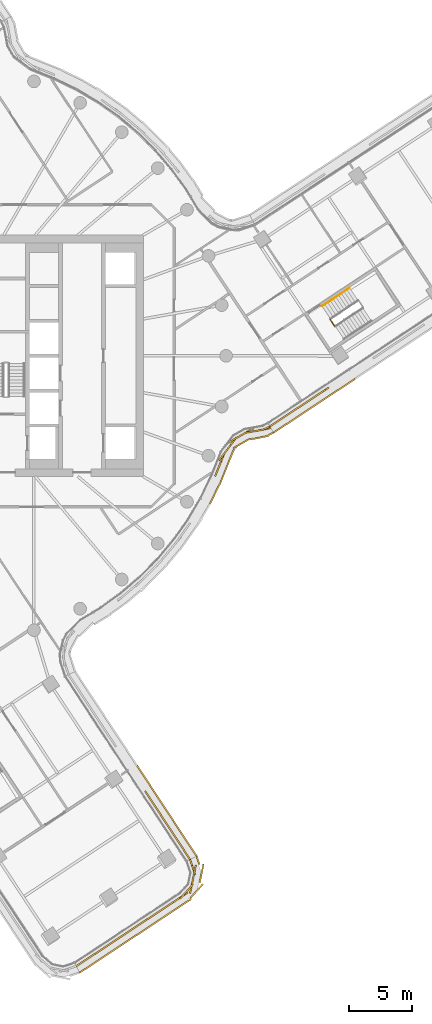
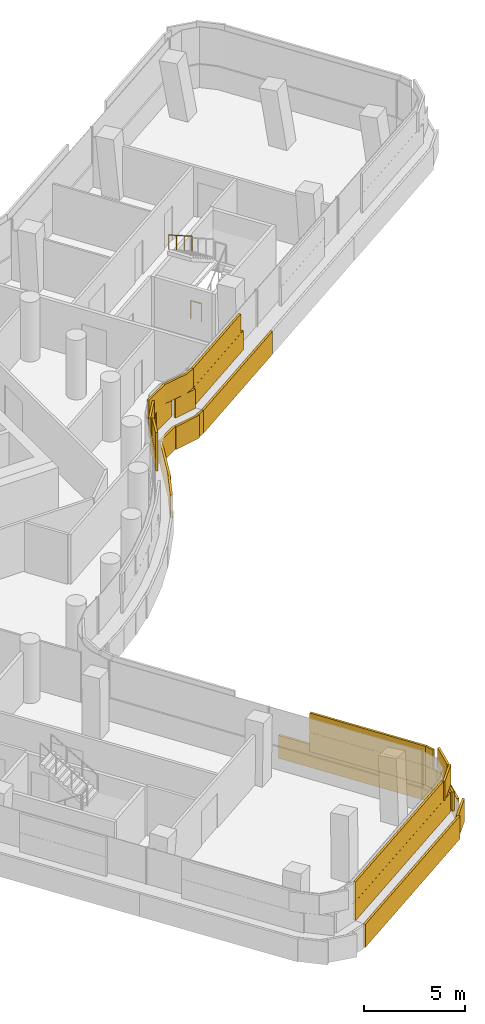
# One storey, part 32 of 35: 4 coverings, 2 railings.
"""IFC4 building model written with IfcOpenShell, lengths in metres."""

from ifc_helpers import new_model, si_unit, direction, frame, origin, origin_2d, place, context, subcontext, project, spatial, rectangle, circle, extrude, material, layer, layer_set, type_object, element, save


model = new_model("IFC4")

# Units and contexts
model_context = context("Model", 3, precision=1e-05, world=origin(), true_north=direction((0.0, 1.0)))
body_context = subcontext(model_context, "Body", "Model", "MODEL_VIEW")
ifc_project = project(units=[si_unit("LENGTHUNIT", "METRE"), si_unit("AREAUNIT", "SQUARE_METRE"), si_unit("VOLUMEUNIT", "CUBIC_METRE"), si_unit("PLANEANGLEUNIT", "RADIAN"), si_unit("MASSUNIT", "GRAM", prefix="KILO")], contexts=[model_context])

# Site, building, storey
site_placement = place(None, origin())
site = spatial("IfcSite", under=ifc_project, at=site_placement, CompositionType="ELEMENT")
building_placement = place(site_placement, origin())
building = spatial("IfcBuilding", under=site, at=building_placement, Name="Tamarind Cross Interchange Tower", CompositionType="ELEMENT")
storey_placement = place(building_placement, frame((0.0, 0.0, 155.5)))
storey = spatial("IfcBuildingStorey", under=building, at=storey_placement, Name="L38", CompositionType="ELEMENT", Elevation=155.5)

# Railings
ifc_material_1 = material(Name="Stair guard")
railing_type_1 = type_object("IfcRailingType", Name="Stair guard", PredefinedType="GUARDRAIL", material=ifc_material_1)
railing_1_placement = place(storey_placement, frame((31.53759765625, 2.342529296875, 0.0)))
element("IfcRailing", 1, at=railing_1_placement, inside=storey, type_object=railing_type_1, Name="L38 ST3 stair guard 4", PredefinedType="GUARDRAIL", context=body_context, shape_type="SweptSolid", body=[
    extrude(circle(Radius=0.02392578125, at=origin_2d()), frame((0.0, 0.0, 1.076171875), z_axis=(-0.550938572023, 0.834545798538, 0.0), x_axis=(-0.834545798538, -0.550938572023, 0.0)), (0.0, 0.0, 1.0), 0.60009765625),
    extrude(circle(Radius=0.02099609375, at=origin_2d()), origin(), (0.0, 0.0, 1.0), 1.052001953125),
    extrude(circle(Radius=0.02099609375, at=origin_2d()), frame((-0.33056640625, 0.500732421875, 0.0)), (0.0, 0.0, 1.0), 1.052001953125),
])
ifc_material_2 = material(Name="Stair handrail")
railing_type_2 = type_object("IfcRailingType", Name="Stair handrail", PredefinedType="HANDRAIL", material=ifc_material_2)
railing_2_placement = place(storey_placement, frame((32.729736328125, 5.346435546875, 2.04541015625)))
element("IfcRailing", 2, at=railing_2_placement, inside=storey, type_object=railing_type_2, Name="L38 ST3 stair handrail 2", PredefinedType="HANDRAIL", context=body_context, shape_type="SweptSolid", body=[
    extrude(circle(Radius=0.02392578125, at=origin_2d()), frame((0.0, 0.0, 0.8759765625), z_axis=(-0.697908254206, -0.460743527335, 0.548306000998), x_axis=(0.550945555476, -0.834541188259, 0.0)), (0.0, 0.0, 1.0), 3.10888671875),
    extrude(circle(Radius=0.02099609375, at=origin_2d()), origin(), (0.0, 0.0, 1.0), 0.851806640625),
    extrude(circle(Radius=0.02099609375, at=origin_2d()), frame((-0.72314453125, -0.4775390625, 0.568115234375)), (0.0, 0.0, 1.0), 0.851806640625),
    extrude(circle(Radius=0.02099609375, at=origin_2d()), frame((-1.446533203125, -0.954833984375, 1.136474609375)), (0.0, 0.0, 1.0), 0.851806640625),
    extrude(circle(Radius=0.02099609375, at=origin_2d()), frame((-2.169677734375, -1.432373046875, 1.70458984375)), (0.0, 0.0, 1.0), 0.851806640625),
])

# Coverings
ifc_material_3 = material(Name="Terracotta", Category="masonry")
ifc_layer = layer(ifc_material_3, 0.1201171875)
ifc_layer_set = layer_set([ifc_layer], Name="Terracotta")
covering_type = type_object("IfcCoveringType", Name="Terracotta baguette screen unit", PredefinedType="MOLDING", material=ifc_layer_set)
covering_1_placement = place(storey_placement, origin())
element("IfcCovering", 3, at=covering_1_placement, inside=storey, type_object=covering_type, Name="SCR-L38-08-00", PredefinedType="MOLDING", context=body_context, shape_type="SweptSolid", body=[
    extrude(rectangle(XDim=1.510009765625, YDim=0.1201171875, at=origin_2d()), frame((11.831787109375, -47.65625, 1.404052734375), z_axis=(0.0, 0.0, 1.0), x_axis=(0.834524900963, 0.550970225759, 0.0)), (0.0, 0.0, 1.0), 1.1669921875),
    extrude(rectangle(XDim=1.52001953125, YDim=0.1201171875, at=origin_2d()), frame((13.083740234375, -46.829833984375, 1.404052734375), z_axis=(0.0, 0.0, 1.0), x_axis=(0.834524900963, 0.550970225759, 0.0)), (0.0, 0.0, 1.0), 1.1669921875),
    extrude(rectangle(XDim=1.52001953125, YDim=0.1201171875, at=origin_2d()), frame((14.33544921875, -46.00341796875, 1.404052734375), z_axis=(0.0, 0.0, 1.0), x_axis=(0.834524900963, 0.550970225759, 0.0)), (0.0, 0.0, 1.0), 1.1669921875),
    extrude(rectangle(XDim=1.52001953125, YDim=0.1201171875, at=origin_2d()), frame((15.587158203125, -45.1767578125, 1.404052734375), z_axis=(0.0, 0.0, 1.0), x_axis=(0.834524900963, 0.550970225759, 0.0)), (0.0, 0.0, 1.0), 1.1669921875),
    extrude(rectangle(XDim=1.52001953125, YDim=0.1201171875, at=origin_2d()), frame((16.8388671875, -44.350341796875, 1.404052734375), z_axis=(0.0, 0.0, 1.0), x_axis=(0.834524900963, 0.550970225759, 0.0)), (0.0, 0.0, 1.0), 1.1669921875),
    extrude(rectangle(XDim=1.52001953125, YDim=0.1201171875, at=origin_2d()), frame((18.0908203125, -43.52392578125, 1.404052734375), z_axis=(0.0, 0.0, 1.0), x_axis=(0.834524900963, 0.550970225759, 0.0)), (0.0, 0.0, 1.0), 1.1669921875),
    extrude(rectangle(XDim=1.52001953125, YDim=0.1201171875, at=origin_2d()), frame((19.342529296875, -42.697509765625, 1.404052734375), z_axis=(0.0, 0.0, 1.0), x_axis=(0.834524900963, 0.550970225759, 0.0)), (0.0, 0.0, 1.0), 1.1669921875),
    extrude(rectangle(XDim=1.52001953125, YDim=0.1201171875, at=origin_2d()), frame((20.312744140625, -41.59326171875, 1.404052734375), z_axis=(0.0, 0.0, 1.0), x_axis=(0.200503433674, 0.979692999406, 0.0)), (0.0, 0.0, 1.0), 1.1669921875),
    extrude(rectangle(XDim=1.259521484375, YDim=0.1201171875, at=origin_2d()), frame((20.35791015625, -40.26025390625, 1.404052734375), z_axis=(0.0, 0.0, 1.0), x_axis=(-0.316205432595, 0.948690742232, 0.0)), (0.0, 0.0, 1.0), 1.1669921875),
    extrude(rectangle(XDim=0.760009765625, YDim=0.1201171875, at=origin_2d()), frame((11.518798828125, -47.86279296875, 2.5791015625), z_axis=(0.0, 0.0, 1.0), x_axis=(0.834524900963, 0.550970225759, 0.0)), (0.0, 0.0, 1.0), 1.1669921875),
    extrude(rectangle(XDim=1.52001953125, YDim=0.1201171875, at=origin_2d()), frame((12.457763671875, -47.242919921875, 2.5791015625), z_axis=(0.0, 0.0, 1.0), x_axis=(0.834524900963, 0.550970225759, 0.0)), (0.0, 0.0, 1.0), 1.1669921875),
    extrude(rectangle(XDim=1.52001953125, YDim=0.1201171875, at=origin_2d()), frame((13.70947265625, -46.41650390625, 2.5791015625), z_axis=(0.0, 0.0, 1.0), x_axis=(0.834524900963, 0.550970225759, 0.0)), (0.0, 0.0, 1.0), 1.1669921875),
    extrude(rectangle(XDim=1.52001953125, YDim=0.1201171875, at=origin_2d()), frame((14.96142578125, -45.590087890625, 2.5791015625), z_axis=(0.0, 0.0, 1.0), x_axis=(0.834524900963, 0.550970225759, 0.0)), (0.0, 0.0, 1.0), 1.1669921875),
    extrude(rectangle(XDim=1.52001953125, YDim=0.1201171875, at=origin_2d()), frame((16.213134765625, -44.763671875, 2.5791015625), z_axis=(0.0, 0.0, 1.0), x_axis=(0.834524900963, 0.550970225759, 0.0)), (0.0, 0.0, 1.0), 1.1669921875),
    extrude(rectangle(XDim=1.52001953125, YDim=0.1201171875, at=origin_2d()), frame((17.46484375, -43.937255859375, 2.5791015625), z_axis=(0.0, 0.0, 1.0), x_axis=(0.834524900963, 0.550970225759, 0.0)), (0.0, 0.0, 1.0), 1.1669921875),
    extrude(rectangle(XDim=1.52001953125, YDim=0.1201171875, at=origin_2d()), frame((18.716552734375, -43.110595703125, 2.5791015625), z_axis=(0.0, 0.0, 1.0), x_axis=(0.834524900963, 0.550970225759, 0.0)), (0.0, 0.0, 1.0), 1.1669921875),
    extrude(rectangle(XDim=1.52001953125, YDim=0.1201171875, at=origin_2d()), frame((19.886962890625, -42.1904296875, 2.5791015625), z_axis=(0.0, 0.0, 1.0), x_axis=(0.663487566811, 0.748187308558, 0.0)), (0.0, 0.0, 1.0), 1.1669921875),
    extrude(rectangle(XDim=1.52001953125, YDim=0.1201171875, at=origin_2d()), frame((20.463134765625, -40.8583984375, 2.5791015625), z_axis=(0.0, 0.0, 1.0), x_axis=(0.200503433674, 0.979692999406, 0.0)), (0.0, 0.0, 1.0), 1.1669921875),
    extrude(rectangle(XDim=0.509521484375, YDim=0.1201171875, at=origin_2d()), frame((20.2392578125, -39.904541015625, 2.5791015625), z_axis=(0.0, 0.0, 1.0), x_axis=(-0.316205432595, 0.948690742232, 0.0)), (0.0, 0.0, 1.0), 1.1669921875),
    extrude(rectangle(XDim=1.510009765625, YDim=0.1201171875, at=origin_2d()), frame((12.089111328125, -48.174072265625, 0.00390625), z_axis=(0.0, 0.0, 1.0), x_axis=(0.834524900963, 0.550970225759, 0.0)), (0.0, 0.0, 1.0), 1.39208984375),
    extrude(rectangle(XDim=1.52001953125, YDim=0.1201171875, at=origin_2d()), frame((13.3369140625, -47.350341796875, 0.00390625), z_axis=(0.0, 0.0, 1.0), x_axis=(0.834524900963, 0.550970225759, 0.0)), (0.0, 0.0, 1.0), 1.39208984375),
    extrude(rectangle(XDim=1.52001953125, YDim=0.1201171875, at=origin_2d()), frame((14.588623046875, -46.52392578125, 0.00390625), z_axis=(0.0, 0.0, 1.0), x_axis=(0.834524900963, 0.550970225759, 0.0)), (0.0, 0.0, 1.0), 1.39208984375),
    extrude(rectangle(XDim=1.52001953125, YDim=0.1201171875, at=origin_2d()), frame((15.84033203125, -45.697509765625, 0.00390625), z_axis=(0.0, 0.0, 1.0), x_axis=(0.834524900963, 0.550970225759, 0.0)), (0.0, 0.0, 1.0), 1.39208984375),
    extrude(rectangle(XDim=1.52001953125, YDim=0.1201171875, at=origin_2d()), frame((17.09228515625, -44.87109375, 0.00390625), z_axis=(0.0, 0.0, 1.0), x_axis=(0.834524900963, 0.550970225759, 0.0)), (0.0, 0.0, 1.0), 1.39208984375),
    extrude(rectangle(XDim=1.52001953125, YDim=0.1201171875, at=origin_2d()), frame((18.343994140625, -44.044677734375, 0.00390625), z_axis=(0.0, 0.0, 1.0), x_axis=(0.834524900963, 0.550970225759, 0.0)), (0.0, 0.0, 1.0), 1.39208984375),
    extrude(rectangle(XDim=1.52001953125, YDim=0.1201171875, at=origin_2d()), frame((19.595703125, -43.218017578125, 0.00390625), z_axis=(0.0, 0.0, 1.0), x_axis=(0.834524900963, 0.550970225759, 0.0)), (0.0, 0.0, 1.0), 1.39208984375),
    extrude(rectangle(XDim=1.52001953125, YDim=0.1201171875, at=origin_2d()), frame((20.66357421875, -42.1796875, 0.00390625), z_axis=(0.0, 0.0, 1.0), x_axis=(0.663487566811, 0.748187308558, 0.0)), (0.0, 0.0, 1.0), 1.39208984375),
    extrude(rectangle(XDim=1.52001953125, YDim=0.1201171875, at=origin_2d()), frame((21.06884765625, -40.76220703125, 0.00390625), z_axis=(0.0, 0.0, 1.0), x_axis=(0.200503433674, 0.979692999406, 0.0)), (0.0, 0.0, 1.0), 1.39208984375),
    extrude(rectangle(XDim=0.676513671875, YDim=0.1201171875, at=origin_2d()), frame((20.7880859375, -39.73583984375, 0.00390625), z_axis=(0.0, 0.0, 1.0), x_axis=(-0.316205432595, 0.948690742232, 0.0)), (0.0, 0.0, 1.0), 1.39208984375),
])
covering_2_placement = place(storey_placement, origin())
element("IfcCovering", 4, at=covering_2_placement, inside=storey, type_object=covering_type, Name="SCR-L38-09-00", PredefinedType="MOLDING", context=body_context, shape_type="SweptSolid", body=[
    extrude(rectangle(XDim=1.510009765625, YDim=0.1201171875, at=origin_2d()), frame((19.748291015625, -39.040771484375, 1.404052734375), z_axis=(0.0, 0.0, 1.0), x_axis=(-0.549247742562, 0.835659570214, 0.0)), (0.0, 0.0, 1.0), 1.1669921875),
    extrude(rectangle(XDim=1.52001953125, YDim=0.1201171875, at=origin_2d()), frame((18.924560546875, -37.787353515625, 1.404052734375), z_axis=(0.0, 0.0, 1.0), x_axis=(-0.549247742562, 0.835659570214, 0.0)), (0.0, 0.0, 1.0), 1.1669921875),
    extrude(rectangle(XDim=1.52001953125, YDim=0.1201171875, at=origin_2d()), frame((18.1005859375, -36.53369140625, 1.404052734375), z_axis=(0.0, 0.0, 1.0), x_axis=(-0.549247742562, 0.835659570214, 0.0)), (0.0, 0.0, 1.0), 1.1669921875),
    extrude(rectangle(XDim=1.52001953125, YDim=0.1201171875, at=origin_2d()), frame((17.276611328125, -35.2802734375, 1.404052734375), z_axis=(0.0, 0.0, 1.0), x_axis=(-0.549247742562, 0.835659570214, 0.0)), (0.0, 0.0, 1.0), 1.1669921875),
    extrude(rectangle(XDim=0.449462890625, YDim=0.1201171875, at=origin_2d()), frame((16.744140625, -34.469970703125, 1.404052734375), z_axis=(0.0, 0.0, 1.0), x_axis=(-0.549247742562, 0.835659570214, 0.0)), (0.0, 0.0, 1.0), 1.1669921875),
    extrude(rectangle(XDim=0.760009765625, YDim=0.1201171875, at=origin_2d()), frame((19.954345703125, -39.354248046875, 2.5791015625), z_axis=(0.0, 0.0, 1.0), x_axis=(-0.549247742562, 0.835659570214, 0.0)), (0.0, 0.0, 1.0), 1.1669921875),
    extrude(rectangle(XDim=1.52001953125, YDim=0.1201171875, at=origin_2d()), frame((19.33642578125, -38.4140625, 2.5791015625), z_axis=(0.0, 0.0, 1.0), x_axis=(-0.549247742562, 0.835659570214, 0.0)), (0.0, 0.0, 1.0), 1.1669921875),
    extrude(rectangle(XDim=1.52001953125, YDim=0.1201171875, at=origin_2d()), frame((18.512451171875, -37.16064453125, 2.5791015625), z_axis=(0.0, 0.0, 1.0), x_axis=(-0.549247742562, 0.835659570214, 0.0)), (0.0, 0.0, 1.0), 1.1669921875),
    extrude(rectangle(XDim=1.52001953125, YDim=0.1201171875, at=origin_2d()), frame((17.688720703125, -35.906982421875, 2.5791015625), z_axis=(0.0, 0.0, 1.0), x_axis=(-0.549247742562, 0.835659570214, 0.0)), (0.0, 0.0, 1.0), 1.1669921875),
    extrude(rectangle(XDim=1.199462890625, YDim=0.1201171875, at=origin_2d()), frame((16.949951171875, -34.783203125, 2.5791015625), z_axis=(0.0, 0.0, 1.0), x_axis=(-0.549247742562, 0.835659570214, 0.0)), (0.0, 0.0, 1.0), 1.1669921875),
    extrude(rectangle(XDim=1.510009765625, YDim=0.1201171875, at=origin_2d()), frame((20.266357421875, -38.783935546875, 0.00390625), z_axis=(0.0, 0.0, 1.0), x_axis=(-0.549247742562, 0.835659570214, 0.0)), (0.0, 0.0, 1.0), 1.39208984375),
    extrude(rectangle(XDim=1.52001953125, YDim=0.1201171875, at=origin_2d()), frame((19.4453125, -37.53466796875, 0.00390625), z_axis=(0.0, 0.0, 1.0), x_axis=(-0.549247742562, 0.835659570214, 0.0)), (0.0, 0.0, 1.0), 1.39208984375),
    extrude(rectangle(XDim=1.52001953125, YDim=0.1201171875, at=origin_2d()), frame((18.621337890625, -36.28125, 0.00390625), z_axis=(0.0, 0.0, 1.0), x_axis=(-0.549247742562, 0.835659570214, 0.0)), (0.0, 0.0, 1.0), 1.39208984375),
    extrude(rectangle(XDim=1.52001953125, YDim=0.1201171875, at=origin_2d()), frame((17.797607421875, -35.027587890625, 0.00390625), z_axis=(0.0, 0.0, 1.0), x_axis=(-0.549247742562, 0.835659570214, 0.0)), (0.0, 0.0, 1.0), 1.39208984375),
    extrude(rectangle(XDim=1.52001953125, YDim=0.1201171875, at=origin_2d()), frame((16.9736328125, -33.774169921875, 0.00390625), z_axis=(0.0, 0.0, 1.0), x_axis=(-0.549247742562, 0.835659570214, 0.0)), (0.0, 0.0, 1.0), 1.39208984375),
    extrude(rectangle(XDim=1.04833984375, YDim=0.1201171875, at=origin_2d()), frame((16.279296875, -32.7177734375, 0.00390625), z_axis=(0.0, 0.0, 1.0), x_axis=(-0.549247742562, 0.835659570214, 0.0)), (0.0, 0.0, 1.0), 1.39208984375),
])
covering_3_placement = place(storey_placement, origin())
element("IfcCovering", 5, at=covering_3_placement, inside=storey, type_object=covering_type, Name="SCR-L38-10-01", PredefinedType="MOLDING", context=body_context, shape_type="SweptSolid", body=[
    extrude(rectangle(XDim=0.510986328125, YDim=0.1201171875, at=origin_2d()), frame((22.232177734375, -9.247802734375, 1.404052734375), z_axis=(0.0, 0.0, 1.0), x_axis=(0.37262047938, 0.927983824399, 0.0)), (0.0, 0.0, 1.0), 1.1669921875),
    extrude(rectangle(XDim=1.52001953125, YDim=0.1201171875, at=origin_2d()), frame((22.60498046875, -8.3193359375, 1.404052734375), z_axis=(0.0, 0.0, 1.0), x_axis=(0.37262047938, 0.927983824399, 0.0)), (0.0, 0.0, 1.0), 1.1669921875),
    extrude(rectangle(XDim=1.52001953125, YDim=0.1201171875, at=origin_2d()), frame((23.35498046875, -7.034912109375, 1.404052734375), z_axis=(0.0, 0.0, 1.0), x_axis=(0.600603865938, 0.799546744237, 0.0)), (0.0, 0.0, 1.0), 1.1669921875),
    extrude(rectangle(XDim=1.52001953125, YDim=0.1201171875, at=origin_2d()), frame((24.4814453125, -6.09130859375, 1.404052734375), z_axis=(0.0, 0.0, 1.0), x_axis=(0.868258429701, 0.496112184141, 0.0)), (0.0, 0.0, 1.0), 1.1669921875),
    extrude(rectangle(XDim=1.317138671875, YDim=0.1201171875, at=origin_2d()), frame((25.853759765625, -5.8154296875, 1.404052734375), z_axis=(0.0, 0.0, 1.0), x_axis=(0.981187002494, 0.193059747584, 0.0)), (0.0, 0.0, 1.0), 1.1669921875),
    extrude(rectangle(XDim=1.260986328125, YDim=0.1201171875, at=origin_2d()), frame((22.3720703125, -8.89990234375, 2.5791015625), z_axis=(0.0, 0.0, 1.0), x_axis=(0.37262047938, 0.927983824399, 0.0)), (0.0, 0.0, 1.0), 1.1669921875),
    extrude(rectangle(XDim=1.52001953125, YDim=0.1201171875, at=origin_2d()), frame((22.904541015625, -7.634521484375, 2.5791015625), z_axis=(0.0, 0.0, 1.0), x_axis=(0.600603865938, 0.799546744237, 0.0)), (0.0, 0.0, 1.0), 1.1669921875),
    extrude(rectangle(XDim=1.52001953125, YDim=0.1201171875, at=origin_2d()), frame((23.830078125, -6.46337890625, 2.5791015625), z_axis=(0.0, 0.0, 1.0), x_axis=(0.868258429701, 0.496112184141, 0.0)), (0.0, 0.0, 1.0), 1.1669921875),
    extrude(rectangle(XDim=1.52001953125, YDim=0.1201171875, at=origin_2d()), frame((25.2119140625, -5.93896484375, 2.5791015625), z_axis=(0.0, 0.0, 1.0), x_axis=(0.984833364219, 0.173502866607, 0.0)), (0.0, 0.0, 1.0), 1.1669921875),
    extrude(rectangle(XDim=0.567138671875, YDim=0.1201171875, at=origin_2d()), frame((26.2001953125, -5.67919921875, 2.5791015625), z_axis=(0.0, 0.0, 1.0), x_axis=(0.899301470343, 0.437329241463, 0.0)), (0.0, 0.0, 1.0), 1.1669921875),
    extrude(rectangle(XDim=0.1552734375, YDim=0.1201171875, at=origin_2d()), frame((21.771728515625, -11.5751953125, 0.00390625), z_axis=(0.0, 0.0, 1.0), x_axis=(0.435326231914, 0.900272776334, 0.0)), (0.0, 0.0, 1.0), 1.39208984375),
    extrude(rectangle(XDim=1.52001953125, YDim=0.1201171875, at=origin_2d()), frame((22.127685546875, -10.839111328125, 0.00390625), z_axis=(0.0, 0.0, 1.0), x_axis=(0.435326231914, 0.900272776334, 0.0)), (0.0, 0.0, 1.0), 1.39208984375),
    extrude(rectangle(XDim=1.52001953125, YDim=0.1201171875, at=origin_2d()), frame((22.758056640625, -9.478759765625, 0.00390625), z_axis=(0.0, 0.0, 1.0), x_axis=(0.37262047938, 0.927983824399, 0.0)), (0.0, 0.0, 1.0), 1.39208984375),
    extrude(rectangle(XDim=1.52001953125, YDim=0.1201171875, at=origin_2d()), frame((23.31689453125, -8.086669921875, 0.00390625), z_axis=(0.0, 0.0, 1.0), x_axis=(0.37262047938, 0.927983824399, 0.0)), (0.0, 0.0, 1.0), 1.39208984375),
    extrude(rectangle(XDim=1.52001953125, YDim=0.1201171875, at=origin_2d()), frame((24.218994140625, -6.90234375, 0.00390625), z_axis=(0.0, 0.0, 1.0), x_axis=(0.868258429701, 0.496112184141, 0.0)), (0.0, 0.0, 1.0), 1.39208984375),
    extrude(rectangle(XDim=1.52001953125, YDim=0.1201171875, at=origin_2d()), frame((25.625732421875, -6.4453125, 0.00390625), z_axis=(0.0, 0.0, 1.0), x_axis=(0.981187002494, 0.193059747584, 0.0)), (0.0, 0.0, 1.0), 1.39208984375),
    extrude(rectangle(XDim=0.445556640625, YDim=0.1201171875, at=origin_2d()), frame((26.535400390625, -6.154541015625, 0.00390625), z_axis=(0.0, 0.0, 1.0), x_axis=(0.899301470343, 0.437329241463, 0.0)), (0.0, 0.0, 1.0), 1.39208984375),
])
covering_4_placement = place(storey_placement, origin())
element("IfcCovering", 6, at=covering_4_placement, inside=storey, type_object=covering_type, Name="SCR-L38-11-00", PredefinedType="MOLDING", context=body_context, shape_type="SweptSolid", body=[
    extrude(rectangle(XDim=1.510009765625, YDim=0.1201171875, at=origin_2d()), frame((27.07666015625, -5.14404296875, 1.404052734375), z_axis=(0.0, 0.0, 1.0), x_axis=(0.834524900963, 0.550970225759, 0.0)), (0.0, 0.0, 1.0), 1.1669921875),
    extrude(rectangle(XDim=1.52001953125, YDim=0.1201171875, at=origin_2d()), frame((28.328369140625, -4.317626953125, 1.404052734375), z_axis=(0.0, 0.0, 1.0), x_axis=(0.834524900963, 0.550970225759, 0.0)), (0.0, 0.0, 1.0), 1.1669921875),
    extrude(rectangle(XDim=1.52001953125, YDim=0.1201171875, at=origin_2d()), frame((29.580322265625, -3.4912109375, 1.404052734375), z_axis=(0.0, 0.0, 1.0), x_axis=(0.834524900963, 0.550970225759, 0.0)), (0.0, 0.0, 1.0), 1.1669921875),
    extrude(rectangle(XDim=1.05712890625, YDim=0.1201171875, at=origin_2d()), frame((30.64306640625, -2.78955078125, 1.404052734375), z_axis=(0.0, 0.0, 1.0), x_axis=(0.834524900963, 0.550970225759, 0.0)), (0.0, 0.0, 1.0), 1.1669921875),
    extrude(rectangle(XDim=0.760009765625, YDim=0.1201171875, at=origin_2d()), frame((26.763671875, -5.350830078125, 2.5791015625), z_axis=(0.0, 0.0, 1.0), x_axis=(0.834524900963, 0.550970225759, 0.0)), (0.0, 0.0, 1.0), 1.1669921875),
    extrude(rectangle(XDim=1.52001953125, YDim=0.1201171875, at=origin_2d()), frame((27.70263671875, -4.73095703125, 2.5791015625), z_axis=(0.0, 0.0, 1.0), x_axis=(0.834524900963, 0.550970225759, 0.0)), (0.0, 0.0, 1.0), 1.1669921875),
    extrude(rectangle(XDim=1.52001953125, YDim=0.1201171875, at=origin_2d()), frame((28.954345703125, -3.904541015625, 2.5791015625), z_axis=(0.0, 0.0, 1.0), x_axis=(0.834524900963, 0.550970225759, 0.0)), (0.0, 0.0, 1.0), 1.1669921875),
    extrude(rectangle(XDim=1.52001953125, YDim=0.1201171875, at=origin_2d()), frame((30.2060546875, -3.077880859375, 2.5791015625), z_axis=(0.0, 0.0, 1.0), x_axis=(0.834524900963, 0.550970225759, 0.0)), (0.0, 0.0, 1.0), 1.1669921875),
    extrude(rectangle(XDim=1.510009765625, YDim=0.1201171875, at=origin_2d()), frame((27.36572265625, -5.64111328125, 0.00390625), z_axis=(0.0, 0.0, 1.0), x_axis=(0.834524900963, 0.550970225759, 0.0)), (0.0, 0.0, 1.0), 1.39208984375),
    extrude(rectangle(XDim=1.52001953125, YDim=0.1201171875, at=origin_2d()), frame((28.61328125, -4.8173828125, 0.00390625), z_axis=(0.0, 0.0, 1.0), x_axis=(0.834524900963, 0.550970225759, 0.0)), (0.0, 0.0, 1.0), 1.39208984375),
    extrude(rectangle(XDim=1.52001953125, YDim=0.1201171875, at=origin_2d()), frame((29.865234375, -3.990966796875, 0.00390625), z_axis=(0.0, 0.0, 1.0), x_axis=(0.834524900963, 0.550970225759, 0.0)), (0.0, 0.0, 1.0), 1.39208984375),
    extrude(rectangle(XDim=1.52001953125, YDim=0.1201171875, at=origin_2d()), frame((31.116943359375, -3.16455078125, 0.00390625), z_axis=(0.0, 0.0, 1.0), x_axis=(0.834524900963, 0.550970225759, 0.0)), (0.0, 0.0, 1.0), 1.39208984375),
    extrude(rectangle(XDim=1.52001953125, YDim=0.1201171875, at=origin_2d()), frame((32.36865234375, -2.338134765625, 0.00390625), z_axis=(0.0, 0.0, 1.0), x_axis=(0.834524900963, 0.550970225759, 0.0)), (0.0, 0.0, 1.0), 1.39208984375),
    extrude(rectangle(XDim=0.19140625, YDim=0.1201171875, at=origin_2d()), frame((33.066162109375, -1.877685546875, 0.00390625), z_axis=(0.0, 0.0, 1.0), x_axis=(0.834524900963, 0.550970225759, 0.0)), (0.0, 0.0, 1.0), 1.39208984375),
])

save(model, "model.ifc")
